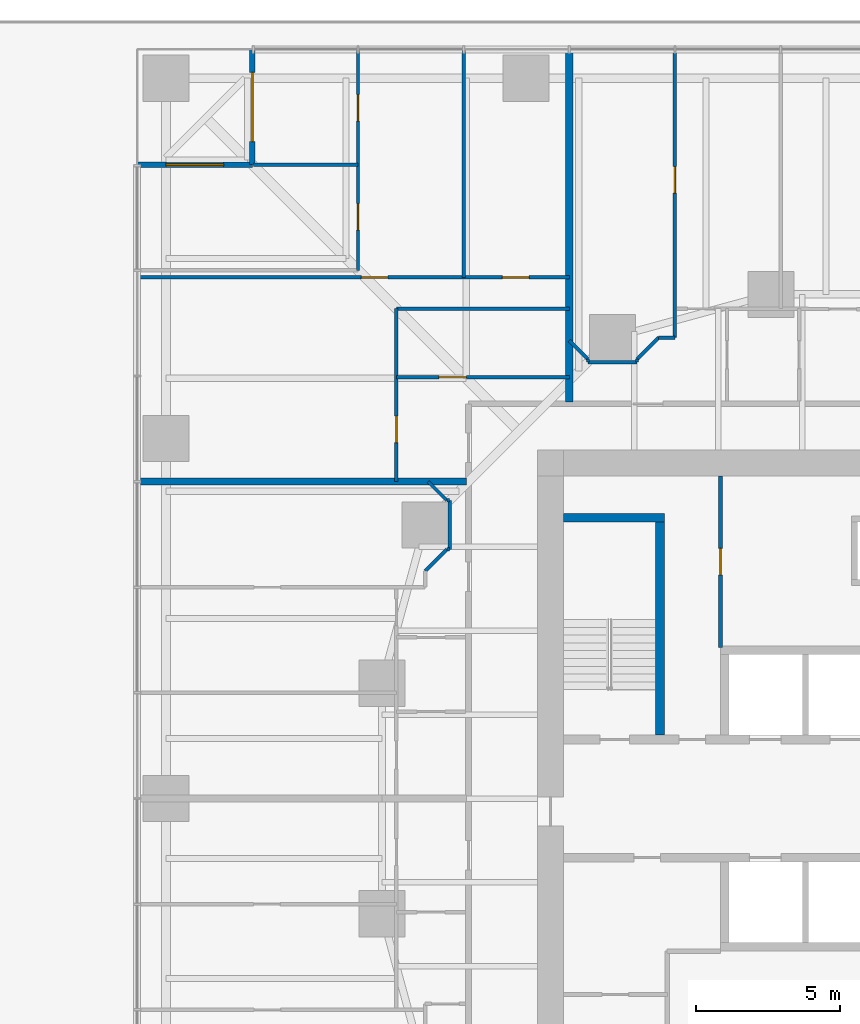
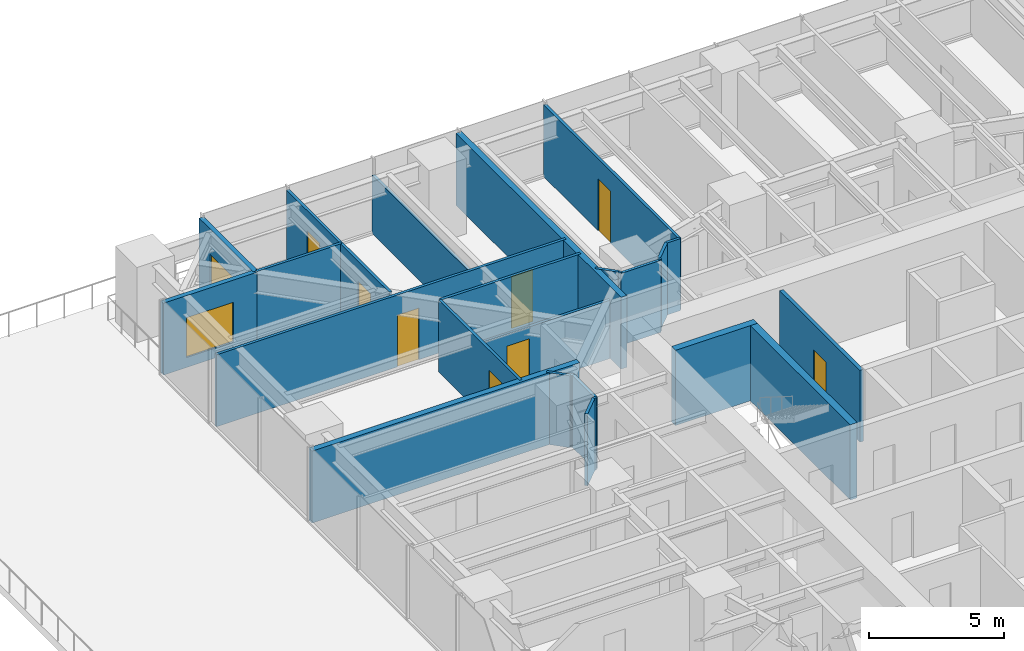
# One storey, part 11 of 15: 26 walls, 9 doors, 1 window, 10 openings.
"""IFC4 building model written with IfcOpenShell, lengths in metres."""

from ifc_helpers import new_model, si_unit, direction, frame, frame_2d, origin, place, context, subcontext, project, spatial, rectangle, extrude, material, layer, layer_set, type_object, element, fill, save


model = new_model("IFC4")

# Units and contexts
model_context = context("Model", 3, precision=1e-05, world=origin(), true_north=direction((0.0, 1.0)))
body_context = subcontext(model_context, "Body", "Model", "MODEL_VIEW")
ifc_project = project(units=[si_unit("LENGTHUNIT", "METRE"), si_unit("AREAUNIT", "SQUARE_METRE"), si_unit("VOLUMEUNIT", "CUBIC_METRE"), si_unit("PLANEANGLEUNIT", "RADIAN"), si_unit("MASSUNIT", "GRAM", prefix="KILO")], contexts=[model_context])

# Site, building, storey
site_placement = place(None, origin())
site = spatial("IfcSite", under=ifc_project, at=site_placement, CompositionType="ELEMENT")
building_placement = place(site_placement, origin())
building = spatial("IfcBuilding", under=site, at=building_placement, Name="Torsade Residences", CompositionType="ELEMENT")
storey_placement = place(building_placement, frame((0.0, 0.0, 15.0)))
storey = spatial("IfcBuildingStorey", under=building, at=storey_placement, Name="L03", CompositionType="ELEMENT", Elevation=15.0)

# Walls
ifc_material_1 = material(Name="Concrete 80 MPa", Category="concrete")
ifc_layer_1 = layer(ifc_material_1, 0.300048828125)
ifc_layer_set_1 = layer_set([ifc_layer_1], Name="Concrete 80 MPa")
wall_type_1 = type_object("IfcWallType", Name="CORE INTERNAL WALL 300", PredefinedType="SHEAR", material=ifc_layer_set_1)
wall_1_placement = place(storey_placement, frame((32.14990234375, 32.199951171875, 0.0), z_axis=(0.0, 0.0, 1.0), x_axis=(0.0, 1.0, 0.0)))
element("IfcWall", 1, at=wall_1_placement, inside=storey, type_object=wall_type_1, Name="Core wall ST1E L03", PredefinedType="SHEAR", context=body_context, shape_type="SweptSolid", body=[
    extrude(rectangle(XDim=7.699951171875, YDim=0.300048828125, at=frame_2d((3.85009765625, 0.0))), origin(), (0.0, 0.0, 1.0), 3.39990234375),
])
wall_2_placement = place(storey_placement, frame((28.800048828125, 39.75, 0.0), z_axis=(0.0, 0.0, 1.0), x_axis=(1.0, 0.0, 0.0)))
element("IfcWall", 2, at=wall_2_placement, inside=storey, type_object=wall_type_1, Name="Core wall ST1N L03", PredefinedType="SHEAR", context=body_context, shape_type="SweptSolid", body=[
    extrude(rectangle(XDim=3.5, YDim=0.300048828125, at=frame_2d((1.75, 0.0))), origin(), (0.0, 0.0, 1.0), 3.39990234375),
])
ifc_material_2 = material(Name="Plasterboard on steel stud", Category="steel")
ifc_layer_2 = layer(ifc_material_2, 0.1201171875)
ifc_layer_set_2 = layer_set([ifc_layer_2], Name="Plasterboard on steel stud")
wall_type_2 = type_object("IfcWallType", Name="PARTITION 120", PredefinedType="PARTITIONING", material=ifc_layer_set_2)
wall_3_placement = place(storey_placement, frame((29.0, 45.89990234375, 0.0), z_axis=(0.0, 0.0, 1.0), x_axis=(0.707106781187, -0.707106781187, 0.0)))
element("IfcWall", 3, at=wall_3_placement, inside=storey, type_object=wall_type_2, Name="Partition L03", PredefinedType="PARTITIONING", context=body_context, shape_type="SweptSolid", body=[
    extrude(rectangle(XDim=0.919189453125, YDim=0.1201171875, at=frame_2d((0.45947265625, 0.0))), origin(), (0.0, 0.0, 1.0), 3.25),
])
wall_4_placement = place(storey_placement, frame((29.64990234375, 45.14990234375, 0.0), z_axis=(0.0, 0.0, 1.0), x_axis=(1.0, 0.0, 0.0)))
element("IfcWall", 4, at=wall_4_placement, inside=storey, type_object=wall_type_2, Name="Partition L03", PredefinedType="PARTITIONING", context=body_context, shape_type="SweptSolid", body=[
    extrude(rectangle(XDim=1.7001953125, YDim=0.1201171875, at=frame_2d((0.85009765625, 0.0))), origin(), (0.0, 0.0, 1.0), 3.25),
])
wall_5_placement = place(storey_placement, frame((31.35009765625, 45.25, 0.0), z_axis=(0.0, 0.0, 1.0), x_axis=(0.707106781187, 0.707106781187, 0.0)))
element("IfcWall", 5, at=wall_5_placement, inside=storey, type_object=wall_type_2, Name="Partition L03", PredefinedType="PARTITIONING", context=body_context, shape_type="SweptSolid", body=[
    extrude(rectangle(XDim=1.060546875, YDim=0.1201171875, at=frame_2d((0.5302734375, 0.0))), origin(), (0.0, 0.0, 1.0), 3.25),
])
wall_6_placement = place(storey_placement, frame((32.10009765625, 46.0, 0.0), z_axis=(0.0, 0.0, 1.0), x_axis=(1.0, 0.0, 0.0)))
element("IfcWall", 6, at=wall_6_placement, inside=storey, type_object=wall_type_2, Name="Partition L03", PredefinedType="PARTITIONING", context=body_context, shape_type="SweptSolid", body=[
    extrude(rectangle(XDim=0.566650390625, YDim=0.1201171875, at=frame_2d((0.283203125, 0.0))), origin(), (0.0, 0.0, 1.0), 3.25),
])

# Wall, opening, door
wall_7_placement = place(storey_placement, frame((32.666748046875, 46.0, 0.0), z_axis=(0.0, 0.0, 1.0), x_axis=(0.0, 1.0, 0.0)))
wall_7 = element("IfcWall", 7, at=wall_7_placement, inside=storey, type_object=wall_type_2, Name="Partition L03", PredefinedType="PARTITIONING", context=body_context, shape_type="SweptSolid", body=[
    extrude(rectangle(XDim=9.9599609375, YDim=0.1201171875, at=frame_2d((4.97998046875, 0.0))), origin(), (0.0, 0.0, 1.0), 3.25),
])
opening_1_placement = place(wall_7_placement, frame((5.014892578125, 0.0, 0.0)))
opening_1 = element("IfcOpeningElement", 8, at=opening_1_placement, cuts=wall_7, Name="Opening D02", PredefinedType="OPENING", context=body_context, shape_type="SweptSolid", body=[
    extrude(rectangle(XDim=0.919921875, YDim=2.340087890625, at=frame_2d((0.4599609375, 1.169921875))), frame((0.0, 0.070068359375, 0.0), z_axis=(0.0, -1.0, 0.0), x_axis=(1.0, 0.0, 0.0)), (0.0, 0.0, 1.0), 0.14013671875),
])
ifc_material_3 = material(Name="Hollow-core timber door", Category="wood")
door_type_1 = type_object("IfcDoorType", Name="INTERNAL DOOR 920x2340", OperationType="NOTDEFINED", PredefinedType="DOOR", material=ifc_material_3)
door_1_placement = place(opening_1_placement, origin())
door_1 = element("IfcDoor", 9, at=door_1_placement, inside=storey, type_object=door_type_1, Name="Door Bedroom 2 to Bedroom 1", OperationType="SINGLE_SWING_LEFT", OverallHeight=2.340087890625, OverallWidth=0.919921875, PredefinedType="DOOR", context=body_context, shape_type="SweptSolid", body=[
    extrude(rectangle(XDim=0.919921875, YDim=2.340087890625, at=frame_2d((0.4599609375, 1.169921875))), frame((0.0, 0.02490234375, 0.0), z_axis=(0.0, -1.0, 0.0), x_axis=(1.0, 0.0, 0.0)), (0.0, 0.0, 1.0), 0.050048828125),
])
fill(opening_1, door_1)

wall_8_placement = place(storey_placement, frame((23.0, 44.622314453125, 0.0), z_axis=(0.0, 0.0, 1.0), x_axis=(1.0, 0.0, 0.0)))
wall_8 = element("IfcWall", 10, at=wall_8_placement, inside=storey, type_object=wall_type_2, Name="Partition L03", PredefinedType="PARTITIONING", context=body_context, shape_type="SweptSolid", body=[
    extrude(rectangle(XDim=6.0, YDim=0.1201171875, at=frame_2d((3.0, 0.0))), origin(), (0.0, 0.0, 1.0), 2.636962890625),
])
opening_2_placement = place(wall_8_placement, frame((1.469970703125, 0.0, 0.0)))
opening_2 = element("IfcOpeningElement", 11, at=opening_2_placement, cuts=wall_8, Name="Opening D05", PredefinedType="OPENING", context=body_context, shape_type="SweptSolid", body=[
    extrude(rectangle(XDim=0.9599609375, YDim=2.10009765625, at=frame_2d((0.47998046875, 1.050048828125))), frame((0.0, 0.070068359375, 0.0), z_axis=(0.0, -1.0, 0.0), x_axis=(1.0, 0.0, 0.0)), (0.0, 0.0, 1.0), 0.14013671875),
])
ifc_material_4 = material(Name="Hollow-core timber door in a steel cavity frame", Category="steel")
door_type_2 = type_object("IfcDoorType", Name="BATHROOM CAVITY SLIDING DOOR 960", OperationType="SLIDING_TO_LEFT", PredefinedType="DOOR", material=ifc_material_4)
door_2_placement = place(opening_2_placement, origin())
door_2 = element("IfcDoor", 12, at=door_2_placement, inside=storey, type_object=door_type_2, Name="Door Kitchen and dining to Bathroom", OperationType="SLIDING_TO_LEFT", OverallHeight=2.10009765625, OverallWidth=0.9599609375, PredefinedType="DOOR", context=body_context, shape_type="SweptSolid", body=[
    extrude(rectangle(XDim=0.9599609375, YDim=2.10009765625, at=frame_2d((0.47998046875, 1.050048828125))), frame((0.0, 0.02490234375, 0.0), z_axis=(0.0, -1.0, 0.0), x_axis=(1.0, 0.0, 0.0)), (0.0, 0.0, 1.0), 0.050048828125),
])
fill(opening_2, door_2)

wall_9_placement = place(storey_placement, frame((23.0, 41.0, 0.0), z_axis=(0.0, 0.0, 1.0), x_axis=(0.0, 1.0, 0.0)))
wall_9 = element("IfcWall", 13, at=wall_9_placement, inside=storey, type_object=wall_type_2, Name="Partition L03", PredefinedType="PARTITIONING", context=body_context, shape_type="SweptSolid", body=[
    extrude(rectangle(XDim=6.0, YDim=0.1201171875, at=frame_2d((3.0, 0.0))), origin(), (0.0, 0.0, 1.0), 3.25),
])
opening_3_placement = place(wall_9_placement, frame((1.35107421875, 0.0, 0.0)))
opening_3 = element("IfcOpeningElement", 14, at=opening_3_placement, cuts=wall_9, Name="Opening D02", PredefinedType="OPENING", context=body_context, shape_type="SweptSolid", body=[
    extrude(rectangle(XDim=0.919921875, YDim=2.340087890625, at=frame_2d((0.4599609375, 1.169921875))), frame((0.0, 0.070068359375, 0.0), z_axis=(0.0, -1.0, 0.0), x_axis=(1.0, 0.0, 0.0)), (0.0, 0.0, 1.0), 0.14013671875),
])
door_3_placement = place(opening_3_placement, origin())
door_3 = element("IfcDoor", 15, at=door_3_placement, inside=storey, type_object=door_type_1, Name="Door Kitchen and dining to Living room", OperationType="SINGLE_SWING_LEFT", OverallHeight=2.340087890625, OverallWidth=0.919921875, PredefinedType="DOOR", context=body_context, shape_type="SweptSolid", body=[
    extrude(rectangle(XDim=0.919921875, YDim=2.340087890625, at=frame_2d((0.4599609375, 1.169921875))), frame((0.0, 0.02490234375, 0.0), z_axis=(0.0, -1.0, 0.0), x_axis=(1.0, 0.0, 0.0)), (0.0, 0.0, 1.0), 0.050048828125),
])
fill(opening_3, door_3)

# Wall
wall_10_placement = place(storey_placement, frame((23.0, 47.0, 0.0), z_axis=(0.0, 0.0, 1.0), x_axis=(1.0, 0.0, 0.0)))
element("IfcWall", 16, at=wall_10_placement, inside=storey, type_object=wall_type_2, Name="Partition L03", PredefinedType="PARTITIONING", context=body_context, shape_type="SweptSolid", body=[
    extrude(rectangle(XDim=6.0, YDim=0.1201171875, at=frame_2d((3.0, 0.0))), origin(), (0.0, 0.0, 1.0), 3.25),
])

# Wall, openings, doors
wall_11_placement = place(storey_placement, frame((14.0400390625, 48.089111328125, 0.0), z_axis=(0.0, 0.0, 1.0), x_axis=(1.0, 0.0, 0.0)))
wall_11 = element("IfcWall", 17, at=wall_11_placement, inside=storey, type_object=wall_type_2, Name="Partition L03", PredefinedType="PARTITIONING", context=body_context, shape_type="SweptSolid", body=[
    extrude(rectangle(XDim=14.9599609375, YDim=0.1201171875, at=frame_2d((7.47998046875, 0.0))), origin(), (0.0, 0.0, 1.0), 3.25),
])
opening_4_placement = place(wall_11_placement, frame((7.74169921875, 0.0, 0.0)))
opening_4 = element("IfcOpeningElement", 18, at=opening_4_placement, cuts=wall_11, Name="Opening D02", PredefinedType="OPENING", context=body_context, shape_type="SweptSolid", body=[
    extrude(rectangle(XDim=0.919921875, YDim=2.340087890625, at=frame_2d((0.4599609375, 1.169921875))), frame((0.0, 0.070068359375, 0.0), z_axis=(0.0, -1.0, 0.0), x_axis=(1.0, 0.0, 0.0)), (0.0, 0.0, 1.0), 0.14013671875),
])
opening_5_placement = place(wall_11_placement, frame((12.6416015625, 0.0, 0.0)))
opening_5 = element("IfcOpeningElement", 19, at=opening_5_placement, cuts=wall_11, Name="Opening D02", PredefinedType="OPENING", context=body_context, shape_type="SweptSolid", body=[
    extrude(rectangle(XDim=0.919921875, YDim=2.340087890625, at=frame_2d((0.4599609375, 1.169921875))), frame((0.0, 0.070068359375, 0.0), z_axis=(0.0, -1.0, 0.0), x_axis=(1.0, 0.0, 0.0)), (0.0, 0.0, 1.0), 0.14013671875),
])
door_4_placement = place(opening_4_placement, origin())
door_4 = element("IfcDoor", 20, at=door_4_placement, inside=storey, type_object=door_type_1, Name="Door Living room to Bedroom 1", OperationType="SINGLE_SWING_RIGHT", OverallHeight=2.340087890625, OverallWidth=0.919921875, PredefinedType="DOOR", context=body_context, shape_type="SweptSolid", body=[
    extrude(rectangle(XDim=0.919921875, YDim=2.340087890625, at=frame_2d((0.4599609375, 1.169921875))), frame((0.0, 0.02490234375, 0.0), z_axis=(0.0, -1.0, 0.0), x_axis=(1.0, 0.0, 0.0)), (0.0, 0.0, 1.0), 0.050048828125),
])
fill(opening_4, door_4)
door_5_placement = place(opening_5_placement, origin())
door_5 = element("IfcDoor", 21, at=door_5_placement, inside=storey, type_object=door_type_1, Name="Door Living room to Bedroom 2", OperationType="SINGLE_SWING_LEFT", OverallHeight=2.340087890625, OverallWidth=0.919921875, PredefinedType="DOOR", context=body_context, shape_type="SweptSolid", body=[
    extrude(rectangle(XDim=0.919921875, YDim=2.340087890625, at=frame_2d((0.4599609375, 1.169921875))), frame((0.0, 0.02490234375, 0.0), z_axis=(0.0, -1.0, 0.0), x_axis=(1.0, 0.0, 0.0)), (0.0, 0.0, 1.0), 0.050048828125),
])
fill(opening_5, door_5)

# Wall
wall_12_placement = place(storey_placement, frame((25.333251953125, 55.9599609375, 0.0), z_axis=(0.0, 0.0, 1.0), x_axis=(0.0, -1.0, 0.0)))
element("IfcWall", 22, at=wall_12_placement, inside=storey, type_object=wall_type_2, Name="Partition L03", PredefinedType="PARTITIONING", context=body_context, shape_type="SweptSolid", body=[
    extrude(rectangle(XDim=7.870849609375, YDim=0.1201171875, at=frame_2d((3.935546875, 0.0))), origin(), (0.0, 0.0, 1.0), 2.636962890625),
])

# Wall, openings, doors
wall_13_placement = place(storey_placement, frame((21.666748046875, 48.333251953125, 0.0), z_axis=(0.0, 0.0, 1.0), x_axis=(0.0, 1.0, 0.0)))
wall_13 = element("IfcWall", 23, at=wall_13_placement, inside=storey, type_object=wall_type_2, Name="Partition L03", PredefinedType="PARTITIONING", context=body_context, shape_type="SweptSolid", body=[
    extrude(rectangle(XDim=7.626708984375, YDim=0.1201171875, at=frame_2d((3.8134765625, 0.0))), origin(), (0.0, 0.0, 1.0), 3.25),
])
opening_6_placement = place(wall_13_placement, frame((5.181640625, 0.0, 0.0)))
opening_6 = element("IfcOpeningElement", 24, at=opening_6_placement, cuts=wall_13, Name="Opening D02", PredefinedType="OPENING", context=body_context, shape_type="SweptSolid", body=[
    extrude(rectangle(XDim=0.919921875, YDim=2.340087890625, at=frame_2d((0.4599609375, 1.169921875))), frame((0.0, 0.070068359375, 0.0), z_axis=(0.0, -1.0, 0.0), x_axis=(1.0, 0.0, 0.0)), (0.0, 0.0, 1.0), 0.14013671875),
])
opening_7_placement = place(wall_13_placement, frame((1.3984375, 0.0, 0.0)))
opening_7 = element("IfcOpeningElement", 25, at=opening_7_placement, cuts=wall_13, Name="Opening D02", PredefinedType="OPENING", context=body_context, shape_type="SweptSolid", body=[
    extrude(rectangle(XDim=0.919921875, YDim=2.340087890625, at=frame_2d((0.4599609375, 1.169921875))), frame((0.0, 0.070068359375, 0.0), z_axis=(0.0, -1.0, 0.0), x_axis=(1.0, 0.0, 0.0)), (0.0, 0.0, 1.0), 0.14013671875),
])
door_6_placement = place(opening_6_placement, origin())
door_6 = element("IfcDoor", 26, at=door_6_placement, inside=storey, type_object=door_type_1, Name="Door Bedroom 1 to Family room", OperationType="SINGLE_SWING_LEFT", OverallHeight=2.340087890625, OverallWidth=0.919921875, PredefinedType="DOOR", context=body_context, shape_type="SweptSolid", body=[
    extrude(rectangle(XDim=0.919921875, YDim=2.340087890625, at=frame_2d((0.4599609375, 1.169921875))), frame((0.0, 0.02490234375, 0.0), z_axis=(0.0, -1.0, 0.0), x_axis=(1.0, 0.0, 0.0)), (0.0, 0.0, 1.0), 0.050048828125),
])
fill(opening_6, door_6)
door_7_placement = place(opening_7_placement, origin())
door_7 = element("IfcDoor", 27, at=door_7_placement, inside=storey, type_object=door_type_1, Name="Door Bedroom 1 to Study", OperationType="SINGLE_SWING_RIGHT", OverallHeight=2.340087890625, OverallWidth=0.919921875, PredefinedType="DOOR", context=body_context, shape_type="SweptSolid", body=[
    extrude(rectangle(XDim=0.919921875, YDim=2.340087890625, at=frame_2d((0.4599609375, 1.169921875))), frame((0.0, 0.02490234375, 0.0), z_axis=(0.0, -1.0, 0.0), x_axis=(1.0, 0.0, 0.0)), (0.0, 0.0, 1.0), 0.050048828125),
])
fill(opening_7, door_7)

# Walls
wall_14_placement = place(storey_placement, frame((18.0400390625, 52.0, 0.0), z_axis=(0.0, 0.0, 1.0), x_axis=(1.0, 0.0, 0.0)))
element("IfcWall", 28, at=wall_14_placement, inside=storey, type_object=wall_type_2, Name="Partition L03", PredefinedType="PARTITIONING", context=body_context, shape_type="SweptSolid", body=[
    extrude(rectangle(XDim=3.626708984375, YDim=0.1201171875, at=frame_2d((1.8134765625, 0.0))), origin(), (0.0, 0.0, 1.0), 3.25),
])
wall_15_placement = place(storey_placement, frame((24.0, 37.89990234375, 0.0), z_axis=(0.0, 0.0, 1.0), x_axis=(0.707106781187, 0.707106781187, 0.0)))
element("IfcWall", 29, at=wall_15_placement, inside=storey, type_object=wall_type_2, Name="Partition L03", PredefinedType="PARTITIONING", context=body_context, shape_type="SweptSolid", body=[
    extrude(rectangle(XDim=1.060546875, YDim=0.1201171875, at=frame_2d((0.5302734375, 0.0))), origin(), (0.0, 0.0, 1.0), 3.25),
])
wall_16_placement = place(storey_placement, frame((24.85009765625, 38.64990234375, 0.0), z_axis=(0.0, 0.0, 1.0), x_axis=(0.0, 1.0, 0.0)))
element("IfcWall", 30, at=wall_16_placement, inside=storey, type_object=wall_type_2, Name="Partition L03", PredefinedType="PARTITIONING", context=body_context, shape_type="SweptSolid", body=[
    extrude(rectangle(XDim=1.7001953125, YDim=0.1201171875, at=frame_2d((0.85009765625, 0.0))), origin(), (0.0, 0.0, 1.0), 3.25),
])
wall_17_placement = place(storey_placement, frame((24.75, 40.35009765625, 0.0), z_axis=(0.0, 0.0, 1.0), x_axis=(-0.707106781187, 0.707106781187, 0.0)))
element("IfcWall", 31, at=wall_17_placement, inside=storey, type_object=wall_type_2, Name="Partition L03", PredefinedType="PARTITIONING", context=body_context, shape_type="SweptSolid", body=[
    extrude(rectangle(XDim=0.919189453125, YDim=0.1201171875, at=frame_2d((0.45947265625, 0.0))), origin(), (0.0, 0.0, 1.0), 3.25),
])
for number, where, z_axis, x_axis, name in (
    (32, (29.64990234375, 45.14990234375, 0.0), (0.0, 0.0, 1.0), (0.0, 1.0, 0.0), "Partition L03"),
    (33, (31.35009765625, 45.14990234375, 0.0), (0.0, 0.0, 1.0), (0.0, 1.0, 0.0), "Partition L03"),
    (34, (24.85009765625, 38.64990234375, 0.0), (0.0, 0.0, 1.0), (-1.0, 0.0, 0.0), "Partition L03"),
    (35, (24.85009765625, 40.35009765625, 0.0), (0.0, 0.0, 1.0), (-1.0, 0.0, 0.0), "Partition L03"),
):
    element("IfcWall", number, at=place(storey_placement, frame(where, z_axis=z_axis, x_axis=x_axis)), inside=storey, type_object=wall_type_2, Name=name, PredefinedType="PARTITIONING", context=body_context, shape_type="SweptSolid", body=[
        extrude(rectangle(XDim=0.10009765625, YDim=0.1201171875, at=frame_2d((0.050048828125, 0.0))), origin(), (0.0, 0.0, 1.0), 3.25),
    ])
ifc_material_5 = material(Name="Masonry-lined stud party wall", Category="masonry")
ifc_layer_3 = layer(ifc_material_5, 0.25)
ifc_layer_set_3 = layer_set([ifc_layer_3], Name="Masonry-lined stud party wall")
wall_type_3 = type_object("IfcWallType", Name="PARTY WALL 250", PredefinedType="PARTITIONING", material=ifc_layer_set_3)
wall_18_placement = place(storey_placement, frame((29.0, 56.0, 0.0), z_axis=(0.0, 0.0, 1.0), x_axis=(0.0, -1.0, 0.0)))
element("IfcWall", 36, at=wall_18_placement, inside=storey, type_object=wall_type_3, Name="Party wall L03", PredefinedType="PARTITIONING", context=body_context, shape_type="SweptSolid", body=[
    extrude(rectangle(XDim=12.239990234375, YDim=0.25, at=frame_2d((6.1201171875, 0.0))), origin(), (0.0, 0.0, 1.0), 3.25),
])
wall_19_placement = place(storey_placement, frame((14.0, 41.0, 0.0), z_axis=(0.0, 0.0, 1.0), x_axis=(1.0, 0.0, 0.0)))
element("IfcWall", 37, at=wall_19_placement, inside=storey, type_object=wall_type_3, Name="Party wall L03", PredefinedType="PARTITIONING", context=body_context, shape_type="SweptSolid", body=[
    extrude(rectangle(XDim=11.43994140625, YDim=0.25, at=frame_2d((5.719970703125, 0.0))), origin(), (0.0, 0.0, 1.0), 3.25),
])

# Wall, opening, door
ifc_material_6 = material(Name="Reinforced blockwork", Category="masonry")
ifc_layer_4 = layer(ifc_material_6, 0.14990234375)
ifc_layer_set_4 = layer_set([ifc_layer_4], Name="Reinforced blockwork")
wall_type_4 = type_object("IfcWallType", Name="SERVICE ROOM WALL 150", PredefinedType="SOLIDWALL", material=ifc_layer_set_4)
wall_20_placement = place(storey_placement, frame((34.25, 41.199951171875, 0.0), z_axis=(0.0, 0.0, 1.0), x_axis=(0.0, -1.0, 0.0)))
wall_20 = element("IfcWall", 38, at=wall_20_placement, inside=storey, type_object=wall_type_4, Name="Service room wall L03", PredefinedType="SOLIDWALL", context=body_context, shape_type="SweptSolid", body=[
    extrude(rectangle(XDim=5.949951171875, YDim=0.14990234375, at=frame_2d((2.97509765625, 0.0))), origin(), (0.0, 0.0, 1.0), 3.25),
])
opening_8_placement = place(wall_20_placement, frame((2.514892578125, 0.0, 0.0)))
opening_8 = element("IfcOpeningElement", 39, at=opening_8_placement, cuts=wall_20, Name="Opening D06", PredefinedType="OPENING", context=body_context, shape_type="SweptSolid", body=[
    extrude(rectangle(XDim=0.919921875, YDim=2.10009765625, at=frame_2d((0.4599609375, 1.050048828125))), frame((0.0, 0.0849609375, 0.0), z_axis=(0.0, -1.0, 0.0), x_axis=(1.0, 0.0, 0.0)), (0.0, 0.0, 1.0), 0.169921875),
])
ifc_material_7 = material(Name="Steel-framed fire door", Category="steel")
door_type_3 = type_object("IfcDoorType", Name="FIRE DOOR 920", OperationType="NOTDEFINED", PredefinedType="DOOR", material=ifc_material_7)
door_8_placement = place(opening_8_placement, origin())
door_8 = element("IfcDoor", 40, at=door_8_placement, inside=storey, type_object=door_type_3, Name="Door Main switchboard store to Electrical riser room", OperationType="SINGLE_SWING_RIGHT", OverallHeight=2.10009765625, OverallWidth=0.919921875, PredefinedType="DOOR", context=body_context, shape_type="SweptSolid", body=[
    extrude(rectangle(XDim=0.919921875, YDim=2.10009765625, at=frame_2d((0.4599609375, 1.050048828125))), frame((0.0, 0.02490234375, 0.0), z_axis=(0.0, -1.0, 0.0), x_axis=(1.0, 0.0, 0.0)), (0.0, 0.0, 1.0), 0.050048828125),
])
fill(opening_8, door_8)

ifc_material_8 = material(Name="Stone-faced precast concrete 40 MPa panel", Category="masonry")
ifc_layer_5 = layer(ifc_material_8, 0.199951171875)
ifc_layer_set_5 = layer_set([ifc_layer_5], Name="Stone-faced precast concrete 40 MPa panel")
wall_type_5 = type_object("IfcWallType", Name="TERRACE WALL 200", PredefinedType="SOLIDWALL", material=ifc_layer_set_5)
wall_21_placement = place(storey_placement, frame((18.0, 56.0, 0.0), z_axis=(0.0, 0.0, 1.0), x_axis=(0.0, -1.0, 0.0)))
wall_21 = element("IfcWall", 41, at=wall_21_placement, inside=storey, type_object=wall_type_5, Name="Terrace wall L03 8", PredefinedType="SOLIDWALL", context=body_context, shape_type="SweptSolid", body=[
    extrude(rectangle(XDim=4.0, YDim=0.199951171875, at=frame_2d((2.0, 0.0))), origin(), (0.0, 0.0, 1.0), 3.25),
])
opening_9_placement = place(wall_21_placement, frame((0.800048828125, 0.0, 0.0)))
opening_9 = element("IfcOpeningElement", 42, at=opening_9_placement, cuts=wall_21, Name="Opening D10A", PredefinedType="OPENING", context=body_context, shape_type="SweptSolid", body=[
    extrude(rectangle(XDim=2.39990234375, YDim=2.10009765625, at=frame_2d((1.199951171875, 1.050048828125))), frame((0.0, 0.10986328125, 0.0), z_axis=(0.0, -1.0, 0.0), x_axis=(1.0, 0.0, 0.0)), (0.0, 0.0, 1.0), 0.219970703125),
])
ifc_material_9 = material(Name="Aluminium-framed glass door", Category="aluminium")
door_type_4 = type_object("IfcDoorType", Name="TERRACE SLIDING DOOR 2400x2100", OperationType="SLIDING_TO_LEFT", PredefinedType="DOOR", material=ifc_material_9)
door_9_placement = place(opening_9_placement, origin())
door_9 = element("IfcDoor", 43, at=door_9_placement, inside=storey, type_object=door_type_4, Name="Terrace door L03 8", OperationType="SLIDING_TO_LEFT", OverallHeight=2.10009765625, OverallWidth=2.39990234375, PredefinedType="DOOR", context=body_context, shape_type="SweptSolid", body=[
    extrude(rectangle(XDim=2.39990234375, YDim=2.10009765625, at=frame_2d((1.199951171875, 1.050048828125))), frame((0.0, 0.02490234375, 0.0), z_axis=(0.0, -1.0, 0.0), x_axis=(1.0, 0.0, 0.0)), (0.0, 0.0, 1.0), 0.050048828125),
])
fill(opening_9, door_9)

# Wall, opening, window
wall_22_placement = place(storey_placement, frame((18.0, 52.0, 0.0), z_axis=(0.0, 0.0, 1.0), x_axis=(-1.0, 0.0, 0.0)))
wall_22 = element("IfcWall", 44, at=wall_22_placement, inside=storey, type_object=wall_type_5, Name="Terrace wall L03 9", PredefinedType="SOLIDWALL", context=body_context, shape_type="SweptSolid", body=[
    extrude(rectangle(XDim=4.0, YDim=0.199951171875, at=frame_2d((2.0, 0.0))), origin(), (0.0, 0.0, 1.0), 3.25),
])
opening_10_placement = place(wall_22_placement, frame((1.0, 0.0, 0.449951171875)))
opening_10 = element("IfcOpeningElement", 45, at=opening_10_placement, cuts=wall_22, Name="Opening W1B", PredefinedType="OPENING", context=body_context, shape_type="SweptSolid", body=[
    extrude(rectangle(XDim=2.0, YDim=1.800048828125, at=frame_2d((1.0, 0.89990234375))), frame((0.0, 0.10986328125, 0.0), z_axis=(0.0, -1.0, 0.0), x_axis=(1.0, 0.0, 0.0)), (0.0, 0.0, 1.0), 0.219970703125),
])
ifc_material_10 = material(Name="Aluminium-framed glass window", Category="aluminium")
window_type = type_object("IfcWindowType", Name="TERRACE WINDOW 2000x1800", PartitioningType="SINGLE_PANEL", PredefinedType="WINDOW", material=ifc_material_10)
window_placement = place(opening_10_placement, origin())
window = element("IfcWindow", 46, at=window_placement, inside=storey, type_object=window_type, Name="Terrace window L03 9", OverallHeight=1.800048828125, OverallWidth=2.0, PartitioningType="SINGLE_PANEL", PredefinedType="WINDOW", context=body_context, shape_type="SweptSolid", body=[
    extrude(rectangle(XDim=2.0, YDim=1.800048828125, at=frame_2d((1.0, 0.89990234375))), frame((0.0, 0.030029296875, 0.0), z_axis=(0.0, -1.0, 0.0), x_axis=(1.0, 0.0, 0.0)), (0.0, 0.0, 1.0), 0.06005859375),
])
fill(opening_10, window)

save(model, "model.ifc")
